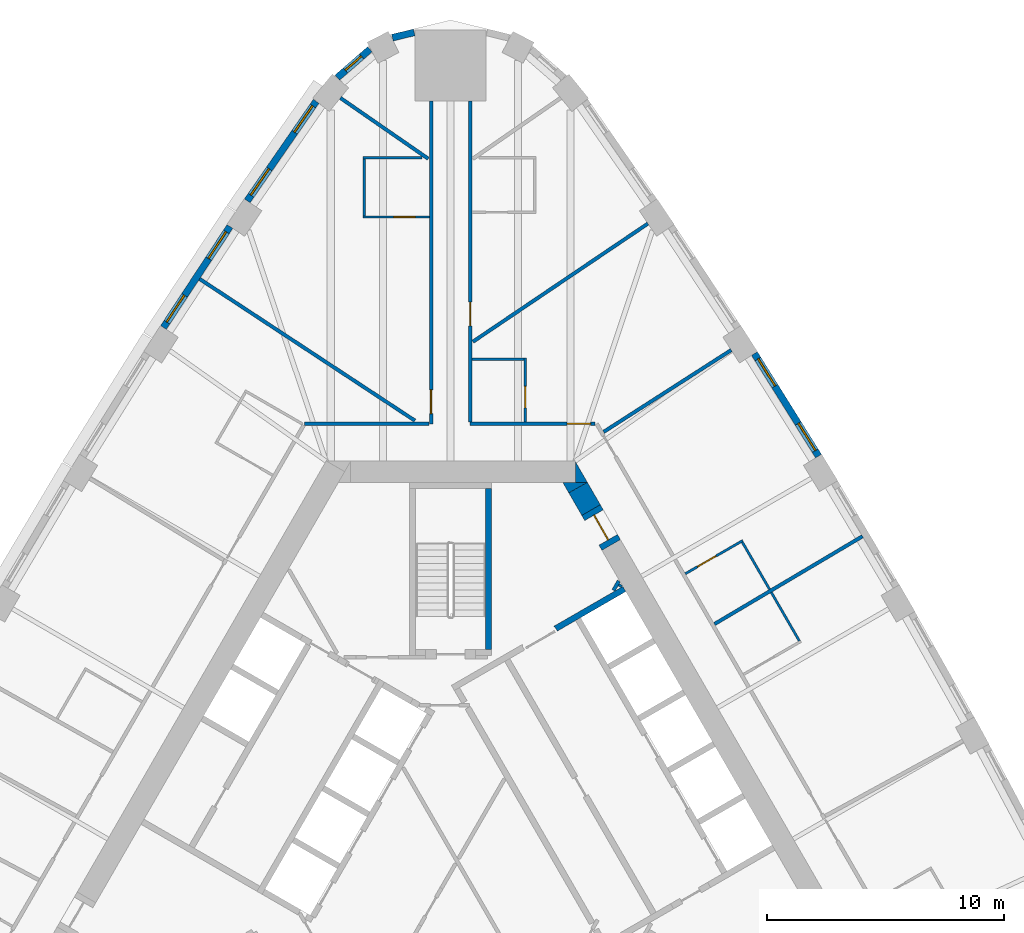
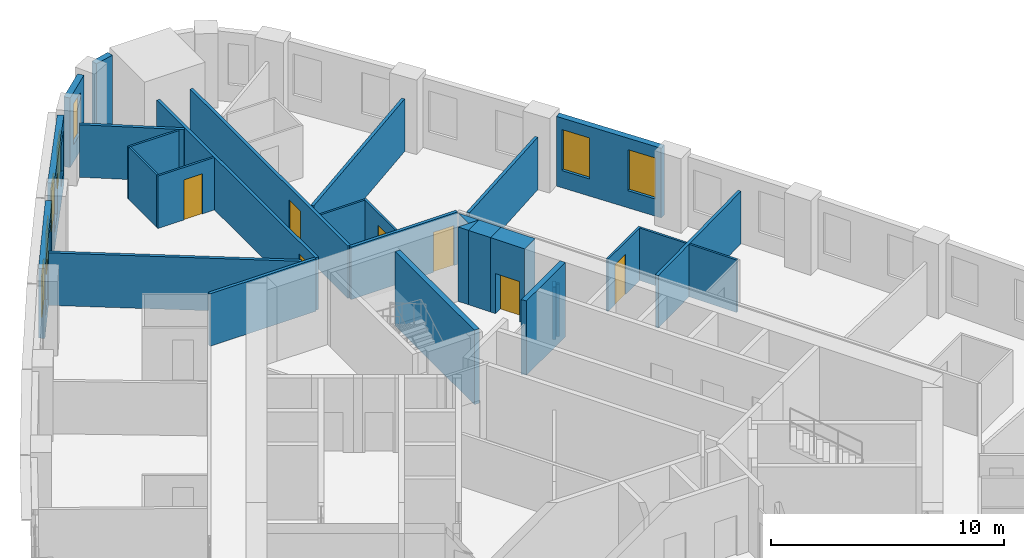
# One storey, part 10 of 12: 30 walls, 7 doors, 7 windows, 14 openings.
"""IFC4 building model written with IfcOpenShell, lengths in metres."""

from ifc_helpers import new_model, si_unit, direction, frame, frame_2d, origin, place, context, subcontext, project, spatial, polyline, rectangle, outline, extrude, material, layer, layer_set, type_object, element, fill, save


model = new_model("IFC4")

# Units and contexts
model_context = context("Model", 3, precision=1e-05, world=origin(), true_north=direction((0.0, 1.0)))
body_context = subcontext(model_context, "Body", "Model", "MODEL_VIEW")
ifc_project = project(units=[si_unit("LENGTHUNIT", "METRE"), si_unit("AREAUNIT", "SQUARE_METRE"), si_unit("VOLUMEUNIT", "CUBIC_METRE"), si_unit("PLANEANGLEUNIT", "RADIAN"), si_unit("MASSUNIT", "GRAM", prefix="KILO")], contexts=[model_context])

# Site, building, storey
site_placement = place(None, origin())
site = spatial("IfcSite", under=ifc_project, at=site_placement, CompositionType="ELEMENT")
building_placement = place(site_placement, origin())
building = spatial("IfcBuilding", under=site, at=building_placement, Name="Mestral Congress Tower", CompositionType="ELEMENT")
storey_placement = place(building_placement, frame((0.0, 0.0, 118.800048828125)))
storey = spatial("IfcBuildingStorey", under=building, at=storey_placement, Name="L28", CompositionType="ELEMENT", Elevation=118.800048828125)

# Walls
ifc_material_1 = material(Name="Fire-rated board partition")
ifc_layer_1 = layer(ifc_material_1, 0.14990234375)
ifc_layer_set_1 = layer_set([ifc_layer_1], Name="Fire-rated board partition")
wall_type_1 = type_object("IfcWallType", Name="Core partition 150", PredefinedType="PARTITIONING", material=ifc_layer_set_1)
wall_1_placement = place(storey_placement, frame((6.87158203125, 11.44970703125, 0.0), z_axis=(0.0, 0.0, 1.0), x_axis=(0.499846793097, 0.866113839764, 0.0)))
element("IfcWall", 1, at=wall_1_placement, inside=storey, type_object=wall_type_1, Name="L28 core wall", PredefinedType="PARTITIONING", context=body_context, shape_type="SweptSolid", body=[
    extrude(rectangle(XDim=0.453369140625, YDim=0.14990234375, at=frame_2d((0.2265625, 0.0))), origin(), (0.0, 0.0, 1.0), 2.75),
])
wall_2_placement = place(storey_placement, frame((7.13134765625, 11.599609375, 0.0), z_axis=(0.0, 0.0, 1.0), x_axis=(0.498600033135, 0.866832167699, 0.0)))
element("IfcWall", 2, at=wall_2_placement, inside=storey, type_object=wall_type_1, Name="L28 core wall", PredefinedType="PARTITIONING", context=body_context, shape_type="SweptSolid", body=[
    extrude(rectangle(XDim=0.106689453125, YDim=0.14990234375, at=frame_2d((0.05322265625, 0.0))), origin(), (0.0, 0.0, 1.0), 2.75),
])
ifc_material_2 = material(Name="Concrete C60/75", Category="concrete")
ifc_layer_2 = layer(ifc_material_2, 0.89990234375)
ifc_layer_set_2 = layer_set([ifc_layer_2], Name="Concrete C60/75")
wall_type_2 = type_object("IfcWallType", Name="Core wall RC 900", PredefinedType="SOLIDWALL", material=ifc_layer_set_2)
placement = place(storey_placement, origin())
element("IfcWall", 3, at=placement, inside=storey, type_object=wall_type_2, Name="L28 core wall", PredefinedType="SOLIDWALL", context=body_context, shape_type="SweptSolid", body=[
    extrude(outline(polyline([(5.265380859375, 16.0), (5.265380859375, 16.8798828125), (5.7734375, 16.0), (5.265380859375, 16.0)])), origin(), (0.0, 0.0, 1.0), 3.89990234375),
])
wall_4_placement = place(storey_placement, frame((5.92578125, 14.836181640625, 0.0), z_axis=(0.0, 0.0, 1.0), x_axis=(-0.500076735116, 0.865981096212, 0.0)))
element("IfcWall", 4, at=wall_4_placement, inside=storey, type_object=wall_type_2, Name="L28 core wall", PredefinedType="SOLIDWALL", context=body_context, shape_type="SweptSolid", body=[
    extrude(rectangle(XDim=1.093505859375, YDim=0.89990234375, at=frame_2d((0.546875, 0.0))), origin(), (0.0, 0.0, 1.0), 3.89990234375),
])
element("IfcWall", 5, at=placement, inside=storey, type_object=wall_type_2, Name="L28 core wall", PredefinedType="SOLIDWALL", context=body_context, shape_type="SweptSolid", body=[
    extrude(outline(polyline([(4.734375, 16.0), (5.750244140625, 16.0), (4.98828125, 15.56005859375), (4.734375, 16.0)])), origin(), (0.0, 0.0, 1.0), 3.89990234375),
])

# Wall, opening, door
wall_6_placement = place(storey_placement, frame((5.92578125, 14.836181640625, 0.0), z_axis=(0.0, 0.0, 1.0), x_axis=(0.500062241894, -0.865989465428, 0.0)))
wall_6 = element("IfcWall", 6, at=wall_6_placement, inside=storey, type_object=wall_type_2, Name="L28 door wall", PredefinedType="SOLIDWALL", context=body_context, shape_type="SweptSolid", body=[
    extrude(rectangle(XDim=1.699951171875, YDim=0.89990234375, at=frame_2d((0.85009765625, 0.0))), origin(), (0.0, 0.0, 1.0), 3.89990234375),
])
opening_1_placement = place(wall_6_placement, frame((0.25, 0.0, 0.0)))
opening_1 = element("IfcOpeningElement", 7, at=opening_1_placement, cuts=wall_6, Name="Opening XD2", PredefinedType="OPENING", context=body_context, shape_type="SweptSolid", body=[
    extrude(rectangle(XDim=1.199951171875, YDim=2.10009765625, at=frame_2d((0.60009765625, 1.050048828125))), frame((0.0, 0.4599609375, 0.0), z_axis=(0.0, -1.0, 0.0), x_axis=(1.0, 0.0, 0.0)), (0.0, 0.0, 1.0), 0.919921875),
])
ifc_material_3 = material(Name="Fire-rated steel door set", Category="steel")
door_type_1 = type_object("IfcDoorType", Name="Core door XD 1200x2100", OperationType="SINGLE_SWING_LEFT", PredefinedType="DOOR", material=ifc_material_3)
door_1_placement = place(opening_1_placement, origin())
door_1 = element("IfcDoor", 8, at=door_1_placement, inside=storey, type_object=door_type_1, Name="Door XD2", OperationType="SINGLE_SWING_LEFT", OverallHeight=2.10009765625, OverallWidth=1.199951171875, PredefinedType="DOOR", context=body_context, shape_type="SweptSolid", body=[
    extrude(rectangle(XDim=1.199951171875, YDim=2.10009765625, at=frame_2d((0.60009765625, 1.050048828125))), frame((0.0, 0.02490234375, 0.0), z_axis=(0.0, -1.0, 0.0), x_axis=(1.0, 0.0, 0.0)), (0.0, 0.0, 1.0), 0.050048828125),
])
fill(opening_1, door_1)

# Wall, openings, windows
ifc_material_4 = material(Name="Precast concrete C40/50 with limestone facing", Category="masonry")
ifc_layer_3 = layer(ifc_material_4, 0.2900390625)
ifc_layer_set_3 = layer_set([ifc_layer_3], Name="Precast concrete C40/50 with limestone facing")
wall_type_3 = type_object("IfcWallType", Name="Facade stone wall 290", PredefinedType="SOLIDWALL", material=ifc_layer_set_3)
wall_7_placement = place(storey_placement, frame((15.523681640625, 17.114013671875, 0.0), z_axis=(0.0, 0.0, 1.0), x_axis=(-0.530072082134, 0.847952585787, 0.0)))
wall_7 = element("IfcWall", 9, at=wall_7_placement, inside=storey, type_object=wall_type_3, Name="Facade wall F1-05", PredefinedType="SOLIDWALL", context=body_context, shape_type="SweptSolid", body=[
    extrude(rectangle(XDim=5.100341796875, YDim=0.2900390625, at=frame_2d((2.55029296875, 0.0))), origin(), (0.0, 0.0, 1.0), 3.64990234375),
])
opening_2_placement = place(wall_7_placement, frame((0.272705078125, 0.0, 0.89990234375)))
opening_2 = element("IfcOpeningElement", 10, at=opening_2_placement, cuts=wall_7, Name="Opening W2", PredefinedType="OPENING", context=body_context, shape_type="SweptSolid", body=[
    extrude(rectangle(XDim=1.35009765625, YDim=2.14990234375, at=frame_2d((0.675048828125, 1.074951171875))), frame((0.0, 0.155029296875, 0.0), z_axis=(0.0, -1.0, 0.0), x_axis=(1.0, 0.0, 0.0)), (0.0, 0.0, 1.0), 0.31005859375),
])
opening_3_placement = place(wall_7_placement, frame((3.477783203125, 0.0, 0.89990234375)))
opening_3 = element("IfcOpeningElement", 11, at=opening_3_placement, cuts=wall_7, Name="Opening W2", PredefinedType="OPENING", context=body_context, shape_type="SweptSolid", body=[
    extrude(rectangle(XDim=1.35009765625, YDim=2.14990234375, at=frame_2d((0.675048828125, 1.074951171875))), frame((0.0, 0.155029296875, 0.0), z_axis=(0.0, -1.0, 0.0), x_axis=(1.0, 0.0, 0.0)), (0.0, 0.0, 1.0), 0.31005859375),
])
ifc_material_5 = material(Name="Clear low-emissivity double glazing", Category="glass")
window_type_1 = type_object("IfcWindowType", Name="Facade punched window 1350 x 2150 sill 900", PartitioningType="DOUBLE_PANEL_VERTICAL", PredefinedType="WINDOW", material=ifc_material_5)
window_1_placement = place(opening_2_placement, origin())
window_1 = element("IfcWindow", 12, at=window_1_placement, inside=storey, type_object=window_type_1, Name="Window F1-05a", OverallHeight=2.14990234375, OverallWidth=1.35009765625, PartitioningType="DOUBLE_PANEL_VERTICAL", PredefinedType="WINDOW", context=body_context, shape_type="SweptSolid", body=[
    extrude(rectangle(XDim=1.35009765625, YDim=2.14990234375, at=frame_2d((0.675048828125, 1.074951171875))), frame((0.0, 0.01513671875, 0.0), z_axis=(0.0, -1.0, 0.0), x_axis=(1.0, 0.0, 0.0)), (0.0, 0.0, 1.0), 0.06005859375),
])
fill(opening_2, window_1)
window_2_placement = place(opening_3_placement, origin())
window_2 = element("IfcWindow", 13, at=window_2_placement, inside=storey, type_object=window_type_1, Name="Window F1-05b", OverallHeight=2.14990234375, OverallWidth=1.35009765625, PartitioningType="DOUBLE_PANEL_VERTICAL", PredefinedType="WINDOW", context=body_context, shape_type="SweptSolid", body=[
    extrude(rectangle(XDim=1.35009765625, YDim=2.14990234375, at=frame_2d((0.675048828125, 1.074951171875))), frame((0.0, 0.01513671875, 0.0), z_axis=(0.0, -1.0, 0.0), x_axis=(1.0, 0.0, 0.0)), (0.0, 0.0, 1.0), 0.06005859375),
])
fill(opening_3, window_2)

# Wall
wall_8_placement = place(storey_placement, frame((-1.53515625, 34.9892578125, 0.0), z_axis=(0.0, 0.0, 1.0), x_axis=(-0.971713991574, -0.236160789674, 0.0)))
element("IfcWall", 14, at=wall_8_placement, inside=storey, type_object=wall_type_3, Name="Facade wall K1-2", PredefinedType="SOLIDWALL", context=body_context, shape_type="SweptSolid", body=[
    extrude(rectangle(XDim=0.947021484375, YDim=0.2900390625, at=frame_2d((0.4736328125, 0.0))), origin(), (0.0, 0.0, 1.0), 3.64990234375),
])

# Wall, opening, window
wall_9_placement = place(storey_placement, frame((-3.404541015625, 34.275390625, 0.0), z_axis=(0.0, 0.0, 1.0), x_axis=(-0.754882764627, -0.655859749999, 0.0)))
wall_9 = element("IfcWall", 15, at=wall_9_placement, inside=storey, type_object=wall_type_3, Name="Facade wall K1-3", PredefinedType="SOLIDWALL", context=body_context, shape_type="SweptSolid", body=[
    extrude(rectangle(XDim=1.819580078125, YDim=0.2900390625, at=frame_2d((0.90966796875, 0.0))), origin(), (0.0, 0.0, 1.0), 3.64990234375),
])
opening_4_placement = place(wall_9_placement, frame((0.459716796875, 0.0, 0.89990234375)))
opening_4 = element("IfcOpeningElement", 16, at=opening_4_placement, cuts=wall_9, Name="Opening W3", PredefinedType="OPENING", context=body_context, shape_type="SweptSolid", body=[
    extrude(rectangle(XDim=0.89990234375, YDim=2.14990234375, at=frame_2d((0.449951171875, 1.074951171875))), frame((0.0, 0.155029296875, 0.0), z_axis=(0.0, -1.0, 0.0), x_axis=(1.0, 0.0, 0.0)), (0.0, 0.0, 1.0), 0.31005859375),
])
window_type_2 = type_object("IfcWindowType", Name="Facade punched window 900 x 2150 sill 900", PartitioningType="SINGLE_PANEL", PredefinedType="WINDOW", material=ifc_material_5)
window_3_placement = place(opening_4_placement, origin())
window_3 = element("IfcWindow", 17, at=window_3_placement, inside=storey, type_object=window_type_2, Name="Window K1-3", OverallHeight=2.14990234375, OverallWidth=0.89990234375, PartitioningType="SINGLE_PANEL", PredefinedType="WINDOW", context=body_context, shape_type="SweptSolid", body=[
    extrude(rectangle(XDim=0.89990234375, YDim=2.14990234375, at=frame_2d((0.449951171875, 1.074951171875))), frame((0.0, 0.01513671875, 0.0), z_axis=(0.0, -1.0, 0.0), x_axis=(1.0, 0.0, 0.0)), (0.0, 0.0, 1.0), 0.06005859375),
])
fill(opening_4, window_3)

# Wall, openings, windows
wall_10_placement = place(storey_placement, frame((-5.67333984375, 32.0810546875, 0.0), z_axis=(0.0, 0.0, 1.0), x_axis=(-0.569113019126, -0.822259309136, 0.0)))
wall_10 = element("IfcWall", 18, at=wall_10_placement, inside=storey, type_object=wall_type_3, Name="Facade wall F2-00", PredefinedType="SOLIDWALL", context=body_context, shape_type="SweptSolid", body=[
    extrude(rectangle(XDim=5.106689453125, YDim=0.2900390625, at=frame_2d((2.55322265625, 0.0))), origin(), (0.0, 0.0, 1.0), 3.64990234375),
])
opening_5_placement = place(wall_10_placement, frame((0.240478515625, 0.0, 0.89990234375)))
opening_5 = element("IfcOpeningElement", 19, at=opening_5_placement, cuts=wall_10, Name="Opening W2", PredefinedType="OPENING", context=body_context, shape_type="SweptSolid", body=[
    extrude(rectangle(XDim=1.35009765625, YDim=2.14990234375, at=frame_2d((0.675048828125, 1.074951171875))), frame((0.0, 0.155029296875, 0.0), z_axis=(0.0, -1.0, 0.0), x_axis=(1.0, 0.0, 0.0)), (0.0, 0.0, 1.0), 0.31005859375),
])
opening_6_placement = place(wall_10_placement, frame((3.47119140625, 0.0, 0.89990234375)))
opening_6 = element("IfcOpeningElement", 20, at=opening_6_placement, cuts=wall_10, Name="Opening W2", PredefinedType="OPENING", context=body_context, shape_type="SweptSolid", body=[
    extrude(rectangle(XDim=1.35009765625, YDim=2.14990234375, at=frame_2d((0.675048828125, 1.074951171875))), frame((0.0, 0.155029296875, 0.0), z_axis=(0.0, -1.0, 0.0), x_axis=(1.0, 0.0, 0.0)), (0.0, 0.0, 1.0), 0.31005859375),
])
window_4_placement = place(opening_5_placement, origin())
window_4 = element("IfcWindow", 21, at=window_4_placement, inside=storey, type_object=window_type_1, Name="Window F2-00a", OverallHeight=2.14990234375, OverallWidth=1.35009765625, PartitioningType="DOUBLE_PANEL_VERTICAL", PredefinedType="WINDOW", context=body_context, shape_type="SweptSolid", body=[
    extrude(rectangle(XDim=1.35009765625, YDim=2.14990234375, at=frame_2d((0.675048828125, 1.074951171875))), frame((0.0, 0.01513671875, 0.0), z_axis=(0.0, -1.0, 0.0), x_axis=(1.0, 0.0, 0.0)), (0.0, 0.0, 1.0), 0.06005859375),
])
fill(opening_5, window_4)
window_5_placement = place(opening_6_placement, origin())
window_5 = element("IfcWindow", 22, at=window_5_placement, inside=storey, type_object=window_type_1, Name="Window F2-00b", OverallHeight=2.14990234375, OverallWidth=1.35009765625, PartitioningType="DOUBLE_PANEL_VERTICAL", PredefinedType="WINDOW", context=body_context, shape_type="SweptSolid", body=[
    extrude(rectangle(XDim=1.35009765625, YDim=2.14990234375, at=frame_2d((0.675048828125, 1.074951171875))), frame((0.0, 0.01513671875, 0.0), z_axis=(0.0, -1.0, 0.0), x_axis=(1.0, 0.0, 0.0)), (0.0, 0.0, 1.0), 0.06005859375),
])
fill(opening_6, window_5)

wall_11_placement = place(storey_placement, frame((-9.310791015625, 26.799072265625, 0.0), z_axis=(0.0, 0.0, 1.0), x_axis=(-0.549741341923, -0.835334937005, 0.0)))
wall_11 = element("IfcWall", 23, at=wall_11_placement, inside=storey, type_object=wall_type_3, Name="Facade wall F2-01", PredefinedType="SOLIDWALL", context=body_context, shape_type="SweptSolid", body=[
    extrude(rectangle(XDim=5.10009765625, YDim=0.2900390625, at=frame_2d((2.550048828125, 0.0))), origin(), (0.0, 0.0, 1.0), 3.64990234375),
])
opening_7_placement = place(wall_11_placement, frame((0.272705078125, 0.0, 0.89990234375)))
opening_7 = element("IfcOpeningElement", 24, at=opening_7_placement, cuts=wall_11, Name="Opening W2", PredefinedType="OPENING", context=body_context, shape_type="SweptSolid", body=[
    extrude(rectangle(XDim=1.35009765625, YDim=2.14990234375, at=frame_2d((0.675048828125, 1.074951171875))), frame((0.0, 0.155029296875, 0.0), z_axis=(0.0, -1.0, 0.0), x_axis=(1.0, 0.0, 0.0)), (0.0, 0.0, 1.0), 0.31005859375),
])
opening_8_placement = place(wall_11_placement, frame((3.477783203125, 0.0, 0.89990234375)))
opening_8 = element("IfcOpeningElement", 25, at=opening_8_placement, cuts=wall_11, Name="Opening W2", PredefinedType="OPENING", context=body_context, shape_type="SweptSolid", body=[
    extrude(rectangle(XDim=1.35009765625, YDim=2.14990234375, at=frame_2d((0.675048828125, 1.074951171875))), frame((0.0, 0.155029296875, 0.0), z_axis=(0.0, -1.0, 0.0), x_axis=(1.0, 0.0, 0.0)), (0.0, 0.0, 1.0), 0.31005859375),
])
window_6_placement = place(opening_7_placement, origin())
window_6 = element("IfcWindow", 26, at=window_6_placement, inside=storey, type_object=window_type_1, Name="Window F2-01a", OverallHeight=2.14990234375, OverallWidth=1.35009765625, PartitioningType="DOUBLE_PANEL_VERTICAL", PredefinedType="WINDOW", context=body_context, shape_type="SweptSolid", body=[
    extrude(rectangle(XDim=1.35009765625, YDim=2.14990234375, at=frame_2d((0.675048828125, 1.074951171875))), frame((0.0, 0.01513671875, 0.0), z_axis=(0.0, -1.0, 0.0), x_axis=(1.0, 0.0, 0.0)), (0.0, 0.0, 1.0), 0.06005859375),
])
fill(opening_7, window_6)
window_7_placement = place(opening_8_placement, origin())
window_7 = element("IfcWindow", 27, at=window_7_placement, inside=storey, type_object=window_type_1, Name="Window F2-01b", OverallHeight=2.14990234375, OverallWidth=1.35009765625, PartitioningType="DOUBLE_PANEL_VERTICAL", PredefinedType="WINDOW", context=body_context, shape_type="SweptSolid", body=[
    extrude(rectangle(XDim=1.35009765625, YDim=2.14990234375, at=frame_2d((0.675048828125, 1.074951171875))), frame((0.0, 0.01513671875, 0.0), z_axis=(0.0, -1.0, 0.0), x_axis=(1.0, 0.0, 0.0)), (0.0, 0.0, 1.0), 0.06005859375),
])
fill(opening_8, window_7)

# Wall
ifc_material_6 = material(Name="Gypsum board partition on metal studs with mineral wool", Category="composite")
ifc_layer_4 = layer(ifc_material_6, 0.10009765625)
ifc_layer_set_4 = layer_set([ifc_layer_4], Name="Gypsum board partition on metal studs with mineral wool")
wall_type_4 = type_object("IfcWallType", Name="Hotel partition wall 100", PredefinedType="PARTITIONING", material=ifc_layer_set_4)
wall_12_placement = place(storey_placement, frame((14.7119140625, 9.318115234375, 0.0), z_axis=(0.0, 0.0, 1.0), x_axis=(-0.50000006957, 0.866025363618, 0.0)))
element("IfcWall", 28, at=wall_12_placement, inside=storey, type_object=wall_type_4, Name="L28-h-pod09b", PredefinedType="PARTITIONING", context=body_context, shape_type="SweptSolid", body=[
    extrude(rectangle(XDim=2.35986328125, YDim=0.10009765625, at=frame_2d((1.179931640625, 0.0))), origin(), (0.0, 0.0, 1.0), 2.75),
])

# Wall, opening, door
wall_13_placement = place(storey_placement, frame((12.3271484375, 13.548828125, 0.0), z_axis=(0.0, 0.0, 1.0), x_axis=(-0.866056369097, -0.49994636267, 0.0)))
wall_13 = element("IfcWall", 29, at=wall_13_placement, inside=storey, type_object=wall_type_4, Name="L28-h-pod10a", PredefinedType="PARTITIONING", context=body_context, shape_type="SweptSolid", body=[
    extrude(rectangle(XDim=2.800048828125, YDim=0.10009765625, at=frame_2d((1.39990234375, 0.0))), origin(), (0.0, 0.0, 1.0), 2.75),
])
opening_9_placement = place(wall_13_placement, frame((1.300048828125, 0.0, 0.0)))
opening_9 = element("IfcOpeningElement", 30, at=opening_9_placement, cuts=wall_13, Name="Opening H09-020", PredefinedType="OPENING", context=body_context, shape_type="SweptSolid", body=[
    extrude(rectangle(XDim=0.89990234375, YDim=2.10009765625, at=frame_2d((0.449951171875, 1.050048828125))), frame((0.0, 0.06005859375, 0.0), z_axis=(0.0, -1.0, 0.0), x_axis=(1.0, 0.0, 0.0)), (0.0, 0.0, 1.0), 0.1201171875),
])
ifc_material_7 = material(Name="Timber veneer door leaf in timber frame", Category="wood")
door_type_2 = type_object("IfcDoorType", Name="Bathroom door 900", OperationType="SINGLE_SWING_LEFT", PredefinedType="DOOR", material=ifc_material_7)
door_2_placement = place(opening_9_placement, origin())
door_2 = element("IfcDoor", 31, at=door_2_placement, inside=storey, type_object=door_type_2, Name="L28-h-d020", OperationType="SINGLE_SWING_LEFT", OverallHeight=2.10009765625, OverallWidth=0.89990234375, PredefinedType="DOOR", context=body_context, shape_type="SweptSolid", body=[
    extrude(rectangle(XDim=0.89990234375, YDim=2.10009765625, at=frame_2d((0.449951171875, 1.050048828125))), frame((0.0, 0.02490234375, 0.0), z_axis=(0.0, -1.0, 0.0), x_axis=(1.0, 0.0, 0.0)), (0.0, 0.0, 1.0), 0.050048828125),
])
fill(opening_9, door_2)

# Wall
wall_14_placement = place(storey_placement, frame((12.308837890625, 13.480712890625, 0.0), z_axis=(0.0, 0.0, 1.0), x_axis=(0.499968531483, -0.866043571379, 0.0)))
element("IfcWall", 32, at=wall_14_placement, inside=storey, type_object=wall_type_4, Name="L28-h-pod10b", PredefinedType="PARTITIONING", context=body_context, shape_type="SweptSolid", body=[
    extrude(rectangle(XDim=2.290283203125, YDim=0.10009765625, at=frame_2d((1.14501953125, 0.0))), origin(), (0.0, 0.0, 1.0), 2.75),
])

# Wall, opening, door
wall_15_placement = place(storey_placement, frame((3.15087890625, 18.550048828125, 0.0), z_axis=(0.0, 0.0, 1.0), x_axis=(0.0, 1.0, 0.0)))
wall_15 = element("IfcWall", 33, at=wall_15_placement, inside=storey, type_object=wall_type_4, Name="L28-h-pod11a", PredefinedType="PARTITIONING", context=body_context, shape_type="SweptSolid", body=[
    extrude(rectangle(XDim=2.699951171875, YDim=0.10009765625, at=frame_2d((1.35009765625, 0.0))), origin(), (0.0, 0.0, 1.0), 2.75),
])
opening_10_placement = place(wall_15_placement, frame((0.60009765625, 0.0, 0.0)))
opening_10 = element("IfcOpeningElement", 34, at=opening_10_placement, cuts=wall_15, Name="Opening H09-022", PredefinedType="OPENING", context=body_context, shape_type="SweptSolid", body=[
    extrude(rectangle(XDim=0.89990234375, YDim=2.10009765625, at=frame_2d((0.449951171875, 1.050048828125))), frame((0.0, 0.06005859375, 0.0), z_axis=(0.0, -1.0, 0.0), x_axis=(1.0, 0.0, 0.0)), (0.0, 0.0, 1.0), 0.1201171875),
])
door_3_placement = place(opening_10_placement, origin())
door_3 = element("IfcDoor", 35, at=door_3_placement, inside=storey, type_object=door_type_2, Name="L28-h-d022", OperationType="SINGLE_SWING_LEFT", OverallHeight=2.10009765625, OverallWidth=0.89990234375, PredefinedType="DOOR", context=body_context, shape_type="SweptSolid", body=[
    extrude(rectangle(XDim=0.89990234375, YDim=2.10009765625, at=frame_2d((0.449951171875, 1.050048828125))), frame((0.0, 0.02490234375, 0.0), z_axis=(0.0, -1.0, 0.0), x_axis=(1.0, 0.0, 0.0)), (0.0, 0.0, 1.0), 0.050048828125),
])
fill(opening_10, door_3)

# Wall
wall_16_placement = place(storey_placement, frame((3.10107421875, 21.199951171875, 0.0), z_axis=(0.0, 0.0, 1.0), x_axis=(-1.0, 0.0, 0.0)))
element("IfcWall", 36, at=wall_16_placement, inside=storey, type_object=wall_type_4, Name="L28-h-pod11b", PredefinedType="PARTITIONING", context=body_context, shape_type="SweptSolid", body=[
    extrude(rectangle(XDim=2.2001953125, YDim=0.10009765625, at=frame_2d((1.10009765625, 0.0))), origin(), (0.0, 0.0, 1.0), 2.75),
])

# Wall, opening, door
wall_17_placement = place(storey_placement, frame((-3.699951171875, 27.197998046875, 0.0), z_axis=(0.0, 0.0, 1.0), x_axis=(1.0, 0.0, 0.0)))
wall_17 = element("IfcWall", 37, at=wall_17_placement, inside=storey, type_object=wall_type_4, Name="L28-h-pod13a", PredefinedType="PARTITIONING", context=body_context, shape_type="SweptSolid", body=[
    extrude(rectangle(XDim=2.800048828125, YDim=0.10009765625, at=frame_2d((1.39990234375, 0.0))), origin(), (0.0, 0.0, 1.0), 2.75),
])
opening_11_placement = place(wall_17_placement, frame((1.300048828125, 0.0, 0.0)))
opening_11 = element("IfcOpeningElement", 38, at=opening_11_placement, cuts=wall_17, Name="Opening H09-026", PredefinedType="OPENING", context=body_context, shape_type="SweptSolid", body=[
    extrude(rectangle(XDim=0.89990234375, YDim=2.10009765625, at=frame_2d((0.449951171875, 1.050048828125))), frame((0.0, 0.06005859375, 0.0), z_axis=(0.0, -1.0, 0.0), x_axis=(1.0, 0.0, 0.0)), (0.0, 0.0, 1.0), 0.1201171875),
])
door_4_placement = place(opening_11_placement, origin())
door_4 = element("IfcDoor", 39, at=door_4_placement, inside=storey, type_object=door_type_2, Name="L28-h-d026", OperationType="SINGLE_SWING_LEFT", OverallHeight=2.10009765625, OverallWidth=0.89990234375, PredefinedType="DOOR", context=body_context, shape_type="SweptSolid", body=[
    extrude(rectangle(XDim=0.89990234375, YDim=2.10009765625, at=frame_2d((0.449951171875, 1.050048828125))), frame((0.0, 0.02490234375, 0.0), z_axis=(0.0, -1.0, 0.0), x_axis=(1.0, 0.0, 0.0)), (0.0, 0.0, 1.0), 0.050048828125),
])
fill(opening_11, door_4)

# Walls
wall_18_placement = place(storey_placement, frame((-3.64990234375, 27.248046875, 0.0), z_axis=(0.0, 0.0, 1.0), x_axis=(0.0, 1.0, 0.0)))
element("IfcWall", 40, at=wall_18_placement, inside=storey, type_object=wall_type_4, Name="L28-h-pod13b", PredefinedType="PARTITIONING", context=body_context, shape_type="SweptSolid", body=[
    extrude(rectangle(XDim=2.39990234375, YDim=0.10009765625, at=frame_2d((1.199951171875, 0.0))), origin(), (0.0, 0.0, 1.0), 2.75),
])
wall_19_placement = place(storey_placement, frame((-1.199951171875, 29.697998046875, 0.0), z_axis=(0.0, 0.0, 1.0), x_axis=(-1.0, 0.0, 0.0)))
element("IfcWall", 41, at=wall_19_placement, inside=storey, type_object=wall_type_4, Name="L28-h-pod13c", PredefinedType="PARTITIONING", context=body_context, shape_type="SweptSolid", body=[
    extrude(rectangle(XDim=2.5, YDim=0.10009765625, at=frame_2d((1.25, 0.0))), origin(), (0.0, 0.0, 1.0), 2.75),
])

# Wall, opening, door
ifc_layer_5 = layer(ifc_material_6, 0.14990234375)
ifc_layer_set_5 = layer_set([ifc_layer_5], Name="Gypsum board partition on metal studs with mineral wool")
wall_type_5 = type_object("IfcWallType", Name="Hotel partition wall 150", PredefinedType="PARTITIONING", material=ifc_layer_set_5)
wall_20_placement = place(storey_placement, frame((0.824951171875, 18.47509765625, 0.0), z_axis=(0.0, 0.0, 1.0), x_axis=(1.0, 0.0, 0.0)))
wall_20 = element("IfcWall", 42, at=wall_20_placement, inside=storey, type_object=wall_type_5, Name="L28-h-cw04", PredefinedType="PARTITIONING", context=body_context, shape_type="SweptSolid", body=[
    extrude(rectangle(XDim=5.268310546875, YDim=0.14990234375, at=frame_2d((2.63427734375, 0.0))), origin(), (0.0, 0.0, 1.0), 2.75),
])
opening_12_placement = place(wall_20_placement, frame((4.088134765625, 0.0, 0.0)))
opening_12 = element("IfcOpeningElement", 43, at=opening_12_placement, cuts=wall_20, Name="Opening H09-021", PredefinedType="OPENING", context=body_context, shape_type="SweptSolid", body=[
    extrude(rectangle(XDim=1.0, YDim=2.10009765625, at=frame_2d((0.5, 1.050048828125))), frame((0.0, 0.0849609375, 0.0), z_axis=(0.0, -1.0, 0.0), x_axis=(1.0, 0.0, 0.0)), (0.0, 0.0, 1.0), 0.169921875),
])
ifc_material_8 = material(Name="Timber veneer door leaf in metal frame", Category="wood")
door_type_3 = type_object("IfcDoorType", Name="Guest room entrance door 1000", OperationType="SINGLE_SWING_LEFT", PredefinedType="DOOR", material=ifc_material_8)
door_5_placement = place(opening_12_placement, origin())
door_5 = element("IfcDoor", 44, at=door_5_placement, inside=storey, type_object=door_type_3, Name="L28-h-d021", OperationType="SINGLE_SWING_RIGHT", OverallHeight=2.10009765625, OverallWidth=1.0, PredefinedType="DOOR", context=body_context, shape_type="SweptSolid", body=[
    extrude(rectangle(XDim=1.0, YDim=2.10009765625, at=frame_2d((0.5, 1.050048828125))), frame((0.0, 0.02490234375, 0.0), z_axis=(0.0, -1.0, 0.0), x_axis=(1.0, 0.0, 0.0)), (0.0, 0.0, 1.0), 0.050048828125),
])
fill(opening_12, door_5)

wall_21_placement = place(storey_placement, frame((0.824951171875, 32.098388671875, 0.0), z_axis=(0.0, 0.0, 1.0), x_axis=(0.0, -1.0, 0.0)))
wall_21 = element("IfcWall", 45, at=wall_21_placement, inside=storey, type_object=wall_type_5, Name="L28-h-cw05", PredefinedType="PARTITIONING", context=body_context, shape_type="SweptSolid", body=[
    extrude(rectangle(XDim=13.54345703125, YDim=0.14990234375, at=frame_2d((6.771728515625, 0.0))), origin(), (0.0, 0.0, 1.0), 2.75),
])
opening_13_placement = place(wall_21_placement, frame((8.490234375, 0.0, 0.0)))
opening_13 = element("IfcOpeningElement", 46, at=opening_13_placement, cuts=wall_21, Name="Opening H09-023", PredefinedType="OPENING", context=body_context, shape_type="SweptSolid", body=[
    extrude(rectangle(XDim=1.0, YDim=2.10009765625, at=frame_2d((0.5, 1.050048828125))), frame((0.0, 0.0849609375, 0.0), z_axis=(0.0, -1.0, 0.0), x_axis=(1.0, 0.0, 0.0)), (0.0, 0.0, 1.0), 0.169921875),
])
door_6_placement = place(opening_13_placement, origin())
door_6 = element("IfcDoor", 47, at=door_6_placement, inside=storey, type_object=door_type_3, Name="L28-h-d023", OperationType="SINGLE_SWING_RIGHT", OverallHeight=2.10009765625, OverallWidth=1.0, PredefinedType="DOOR", context=body_context, shape_type="SweptSolid", body=[
    extrude(rectangle(XDim=1.0, YDim=2.10009765625, at=frame_2d((0.5, 1.050048828125))), frame((0.0, 0.02490234375, 0.0), z_axis=(0.0, -1.0, 0.0), x_axis=(1.0, 0.0, 0.0)), (0.0, 0.0, 1.0), 0.050048828125),
])
fill(opening_13, door_6)

wall_22_placement = place(storey_placement, frame((-0.824951171875, 18.47509765625, 0.0), z_axis=(0.0, 0.0, 1.0), x_axis=(0.0, 1.0, 0.0)))
wall_22 = element("IfcWall", 48, at=wall_22_placement, inside=storey, type_object=wall_type_5, Name="L28-h-cw06", PredefinedType="PARTITIONING", context=body_context, shape_type="SweptSolid", body=[
    extrude(rectangle(XDim=13.623291015625, YDim=0.14990234375, at=frame_2d((6.8115234375, 0.0))), origin(), (0.0, 0.0, 1.0), 2.75),
])
opening_14_placement = place(wall_22_placement, frame((0.427001953125, 0.0, 0.0)))
opening_14 = element("IfcOpeningElement", 49, at=opening_14_placement, cuts=wall_22, Name="Opening H09-025", PredefinedType="OPENING", context=body_context, shape_type="SweptSolid", body=[
    extrude(rectangle(XDim=1.0, YDim=2.10009765625, at=frame_2d((0.5, 1.050048828125))), frame((0.0, 0.0849609375, 0.0), z_axis=(0.0, -1.0, 0.0), x_axis=(1.0, 0.0, 0.0)), (0.0, 0.0, 1.0), 0.169921875),
])
door_7_placement = place(opening_14_placement, origin())
door_7 = element("IfcDoor", 50, at=door_7_placement, inside=storey, type_object=door_type_3, Name="L28-h-d025", OperationType="SINGLE_SWING_LEFT", OverallHeight=2.10009765625, OverallWidth=1.0, PredefinedType="DOOR", context=body_context, shape_type="SweptSolid", body=[
    extrude(rectangle(XDim=1.0, YDim=2.10009765625, at=frame_2d((0.5, 1.050048828125))), frame((0.0, 0.02490234375, 0.0), z_axis=(0.0, -1.0, 0.0), x_axis=(1.0, 0.0, 0.0)), (0.0, 0.0, 1.0), 0.050048828125),
])
fill(opening_14, door_7)

# Walls
wall_23_placement = place(storey_placement, frame((-6.1630859375, 18.47509765625, 0.0), z_axis=(0.0, 0.0, 1.0), x_axis=(1.0, 0.0, 0.0)))
element("IfcWall", 51, at=wall_23_placement, inside=storey, type_object=wall_type_5, Name="L28-h-cw07", PredefinedType="PARTITIONING", context=body_context, shape_type="SweptSolid", body=[
    extrude(rectangle(XDim=5.258056640625, YDim=0.14990234375, at=frame_2d((2.62890625, 0.0))), origin(), (0.0, 0.0, 1.0), 2.75),
])
wall_24_placement = place(storey_placement, frame((-10.591552734375, 24.589111328125, 0.0), z_axis=(0.0, 0.0, 1.0), x_axis=(0.835337323748, -0.549737715236, 0.0)))
element("IfcWall", 52, at=wall_24_placement, inside=storey, type_object=wall_type_5, Name="L28-h-pw10", PredefinedType="PARTITIONING", context=body_context, shape_type="SweptSolid", body=[
    extrude(rectangle(XDim=10.875244140625, YDim=0.14990234375, at=frame_2d((5.4375, 0.0))), origin(), (0.0, 0.0, 1.0), 2.75),
])
wall_25_placement = place(storey_placement, frame((-4.649169921875, 32.223388671875, 0.0), z_axis=(0.0, 0.0, 1.0), x_axis=(0.822262349475, -0.569108626394, 0.0)))
element("IfcWall", 53, at=wall_25_placement, inside=storey, type_object=wall_type_5, Name="L28-h-pw11", PredefinedType="PARTITIONING", context=body_context, shape_type="SweptSolid", body=[
    extrude(rectangle(XDim=4.509521484375, YDim=0.14990234375, at=frame_2d((2.2548828125, 0.0))), origin(), (0.0, 0.0, 1.0), 2.75),
])
wall_26_placement = place(storey_placement, frame((8.32568359375, 26.922607421875, 0.0), z_axis=(0.0, 0.0, 1.0), x_axis=(-0.828836601893, -0.5594907393, 0.0)))
element("IfcWall", 54, at=wall_26_placement, inside=storey, type_object=wall_type_5, Name="L28-h-pw12", PredefinedType="PARTITIONING", context=body_context, shape_type="SweptSolid", body=[
    extrude(rectangle(XDim=8.9091796875, YDim=0.14990234375, at=frame_2d((4.45458984375, 0.0))), origin(), (0.0, 0.0, 1.0), 2.75),
])
wall_27_placement = place(storey_placement, frame((11.838134765625, 21.585205078125, 0.0), z_axis=(0.0, 0.0, 1.0), x_axis=(-0.841699322813, -0.539946525108, 0.0)))
element("IfcWall", 55, at=wall_27_placement, inside=storey, type_object=wall_type_5, Name="L28-h-pw15", PredefinedType="PARTITIONING", context=body_context, shape_type="SweptSolid", body=[
    extrude(rectangle(XDim=6.3916015625, YDim=0.14990234375, at=frame_2d((3.19580078125, 0.0))), origin(), (0.0, 0.0, 1.0), 2.75),
])
wall_28_placement = place(storey_placement, frame((17.379150390625, 13.730712890625, 0.0), z_axis=(0.0, 0.0, 1.0), x_axis=(-0.860132461691, -0.510070728768, 0.0)))
element("IfcWall", 56, at=wall_28_placement, inside=storey, type_object=wall_type_5, Name="L28-h-pw16", PredefinedType="PARTITIONING", context=body_context, shape_type="SweptSolid", body=[
    extrude(rectangle(XDim=7.256591796875, YDim=0.14990234375, at=frame_2d((3.62841796875, 0.0))), origin(), (0.0, 0.0, 1.0), 2.75),
])
ifc_layer_6 = layer(ifc_material_2, 0.25)
ifc_layer_set_6 = layer_set([ifc_layer_6], Name="Concrete C60/75")
wall_type_6 = type_object("IfcWallType", Name="Shaft wall RC 250", PredefinedType="SOLIDWALL", material=ifc_layer_set_6)
element("IfcWall", 57, at=placement, inside=storey, type_object=wall_type_6, Name="L28 core wall", PredefinedType="SOLIDWALL", context=body_context, shape_type="SweptSolid", body=[
    extrude(outline(polyline([(5.26953125, 10.172607421875), (5.26953125, 10.172607421875), (4.68310546875, 9.833984375), (4.50439453125, 9.73095703125), (4.44189453125, 9.839111328125), (4.431396484375, 9.855712890625), (4.419189453125, 9.87109375), (4.405517578125, 9.885009765625), (4.390380859375, 9.897705078125), (4.374267578125, 9.908935546875), (4.357177734375, 9.91845703125), (4.34130859375, 9.92529296875), (7.266357421875, 11.6142578125), (7.391357421875, 11.397705078125), (5.486083984375, 10.2978515625), (5.486083984375, 10.2978515625), (5.26953125, 10.1728515625), (5.26953125, 10.172607421875)])), origin(), (0.0, 0.0, 1.0), 3.89990234375),
])
ifc_layer_7 = layer(ifc_material_2, 0.25)
ifc_layer_set_7 = layer_set([ifc_layer_7], Name="Concrete C60/75")
wall_type_7 = type_object("IfcWallType", Name="Stair wall RC 250", PredefinedType="SOLIDWALL", material=ifc_layer_set_7)
wall_30_placement = place(storey_placement, frame((1.60009765625, 8.949951171875, 0.0), z_axis=(0.0, 0.0, 1.0), x_axis=(0.0, 1.0, 0.0)))
element("IfcWall", 58, at=wall_30_placement, inside=storey, type_object=wall_type_7, Name="L28 core wall", PredefinedType="SOLIDWALL", context=body_context, shape_type="SweptSolid", body=[
    extrude(rectangle(XDim=6.800048828125, YDim=0.25, at=frame_2d((3.39990234375, 0.0))), origin(), (0.0, 0.0, 1.0), 3.89990234375),
])

save(model, "model.ifc")
